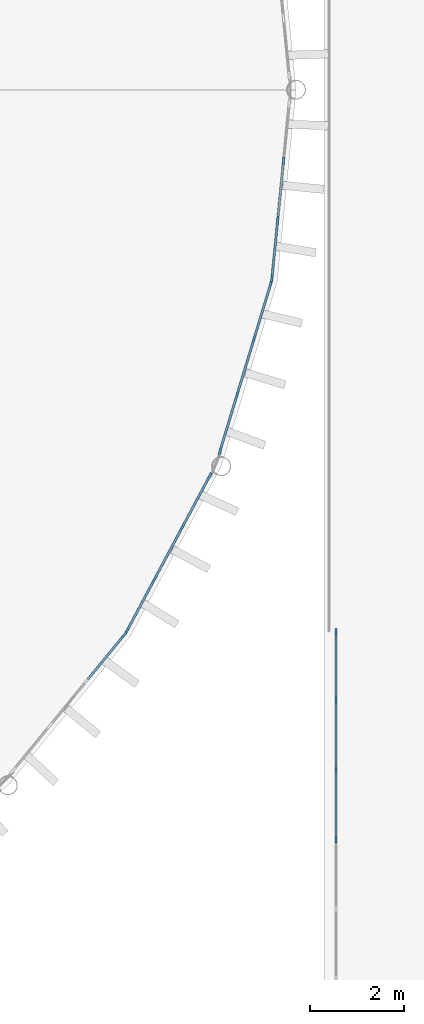
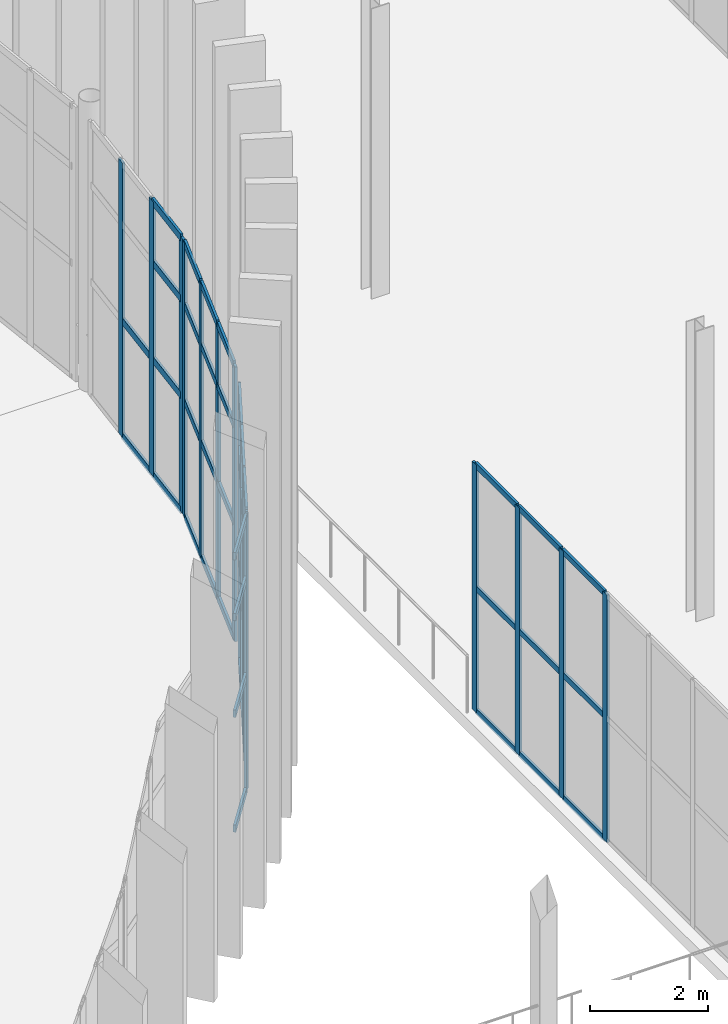
# One storey, part 57 of 139: 59 members, 5 elements without a shape of their own.
"""IFC4 building model written with IfcOpenShell, lengths in metres."""

import ifcopenshell
import ifcopenshell.guid

model = None  # the IFC model being written
_history = None  # IfcOwnerHistory: only IFC2X3 demands one
_inside = {}  # id of a spatial element -> (the spatial element, [elements in it])
_under = {}  # id of a project, library or spatial element -> (it, [spatial elements below it])
_declared = {}  # id of a project -> (the project, [libraries it declares])
_typed = {}  # id of a type object -> (the type object, [elements of that type])
_made_of = {}  # id of a material, layer set ... -> (it, [elements and type objects made of it])


def new_model(schema):
    """Start an empty IFC model of exactly this schema.

    Asked for "IFC4X3", IfcOpenShell would pick the latest addendum, in which some entities
    have other attributes; the version numbers below select the first issue.
    IFC2X3 requires an IfcOwnerHistory on every rooted entity: one is made here for all.
    """
    global model, _history
    if schema == "IFC4X3":
        model = ifcopenshell.file(schema_version=(4, 3, 0, 0))
    else:
        model = ifcopenshell.file(schema=schema)
    _inside.clear()
    _under.clear()
    _declared.clear()
    _typed.clear()
    _made_of.clear()
    _history = None
    if model.schema == "IFC2X3":
        org = make("IfcOrganization", Name="unknown")
        user = make(
            "IfcPersonAndOrganization",
            ThePerson=make("IfcPerson", FamilyName="unknown"),
            TheOrganization=org,
        )
        app = make(
            "IfcApplication",
            ApplicationDeveloper=org,
            Version="unknown",
            ApplicationFullName="unknown",
            ApplicationIdentifier="unknown",
        )
        _history = make(
            "IfcOwnerHistory",
            OwningUser=user,
            OwningApplication=app,
            ChangeAction="ADDED",
            CreationDate=0,
        )
    return model


def make(cls, **values):
    """One entity of the class cls with the attributes given. An attribute that is None is left unset."""
    return model.create_entity(
        cls, **{name: value for name, value in values.items() if value is not None}
    )


def rooted(cls, **values):
    """An entity with a GlobalId (a new one), such as an element, a storey or a relation."""
    return make(cls, GlobalId=ifcopenshell.guid.new(), OwnerHistory=_history, **values)


def si_unit(unit_type, name, prefix=None):
    """IfcSIUnit, for example si_unit("LENGTHUNIT", "METRE", prefix="MILLI")."""
    return make("IfcSIUnit", UnitType=unit_type, Prefix=prefix, Name=name)


def assignment(units):
    """IfcUnitAssignment: the units of a project."""
    return None if units is None else make("IfcUnitAssignment", Units=units)


def point(xyz):
    """IfcCartesianPoint."""
    return None if xyz is None else make("IfcCartesianPoint", Coordinates=xyz)


def direction(xyz):
    """IfcDirection."""
    return None if xyz is None else make("IfcDirection", DirectionRatios=xyz)


def frame(location, z_axis=None, x_axis=None):
    """IfcAxis2Placement3D, a coordinate frame: its origin and axes. An axis left out is left unset."""
    return make(
        "IfcAxis2Placement3D",
        Location=point(location),
        Axis=direction(z_axis),
        RefDirection=direction(x_axis),
    )


def frame_2d(location, x_axis=None):
    """IfcAxis2Placement2D, a coordinate frame in the plane: its origin and x axis."""
    return make(
        "IfcAxis2Placement2D", Location=point(location), RefDirection=direction(x_axis)
    )


def origin():
    """The frame at (0, 0, 0) with its axes left unset."""
    return frame((0.0, 0.0, 0.0))


def origin_2d():
    """The frame at (0, 0) in the plane with its x axis left unset."""
    return frame_2d((0.0, 0.0))


def place(relative_to, where):
    """IfcLocalPlacement: puts the frame where relative to a parent placement (None: the world)."""
    return make(
        "IfcLocalPlacement", PlacementRelTo=relative_to, RelativePlacement=where
    )


def context(
    kind, dimensions, precision=None, world=None, true_north=None, identifier=None
):
    """IfcGeometricRepresentationContext, for example the 3D "Model" context."""
    return make(
        "IfcGeometricRepresentationContext",
        ContextIdentifier=identifier,
        ContextType=kind,
        CoordinateSpaceDimension=dimensions,
        Precision=precision,
        WorldCoordinateSystem=world,
        TrueNorth=true_north,
    )


def subcontext(parent, identifier, kind, view, scale=None):
    """IfcGeometricRepresentationSubContext, for example "Body" below "Model"."""
    return make(
        "IfcGeometricRepresentationSubContext",
        ContextIdentifier=identifier,
        ContextType=kind,
        ParentContext=parent,
        TargetScale=scale,
        TargetView=view,
    )


def project(units=None, contexts=None):
    """IfcProject with its units and contexts."""
    return rooted(
        "IfcProject",
        Name="project",
        RepresentationContexts=contexts,
        UnitsInContext=assignment(units),
    )


def spatial(cls, under=None, at=None, **own):
    """A site, building, storey or space (cls), placed at a placement, below another one or the project."""
    s = rooted(cls, ObjectPlacement=at, **own)
    if under is not None:
        _under.setdefault(under.id(), (under, []))[1].append(s)
    return s


def profile(cls, at=None, kind="AREA", **sizes):
    """A parametric profile (cls). Its sizes go by their IFC names, for example OverallWidth=200.0."""
    return make(cls, ProfileType=kind, Position=at, **sizes)


def rectangle(**sizes):
    """IfcRectangleProfileDef."""
    return profile("IfcRectangleProfileDef", **sizes)


def extrude(swept, where, along, depth):
    """IfcExtrudedAreaSolid: the profile swept, set in the frame where, extruded along a direction by depth."""
    return make(
        "IfcExtrudedAreaSolid",
        SweptArea=swept,
        Position=where,
        ExtrudedDirection=direction(along),
        Depth=depth,
    )


def shape(context_of_items, identifier, shape_type, items):
    """IfcShapeRepresentation: the items that make up one representation, for example the "Body"."""
    return make(
        "IfcShapeRepresentation",
        ContextOfItems=context_of_items,
        RepresentationIdentifier=identifier,
        RepresentationType=shape_type,
        Items=items,
    )


def material(Name=None, Category=None):
    """IfcMaterial."""
    return make("IfcMaterial", Name=Name, Category=Category)


def layer(
    of_material, thickness, ventilated=None, Name=None, Category=None, Priority=None
):
    """IfcMaterialLayer: one layer of a wall or slab, of a material (None: an air gap)."""
    return make(
        "IfcMaterialLayer",
        Material=of_material,
        LayerThickness=thickness,
        IsVentilated=ventilated,
        Name=Name,
        Category=Category,
        Priority=Priority,
    )


def layer_set(layers, Name=None):
    """IfcMaterialLayerSet."""
    return make("IfcMaterialLayerSet", MaterialLayers=layers, LayerSetName=Name)


def material_profile(
    of_material, cross_section, Name=None, Category=None, Priority=None
):
    """IfcMaterialProfile: a cross section and its material."""
    return make(
        "IfcMaterialProfile",
        Name=Name,
        Material=of_material,
        Profile=cross_section,
        Priority=Priority,
        Category=Category,
    )


def profile_set(profiles, Name=None, composite=None):
    """IfcMaterialProfileSet."""
    return make(
        "IfcMaterialProfileSet",
        Name=Name,
        MaterialProfiles=profiles,
        CompositeProfile=composite,
    )


def made_of(thing, what):
    """Note that an element or type object is made of a material, layer set ...; save() writes the relation."""
    if what is not None:
        _made_of.setdefault(what.id(), (what, []))[1].append(thing)
    return thing


def type_object(cls, material=None, **own):
    """A type object (cls), such as IfcWallType, which elements share."""
    return made_of(rooted(cls, **own), material)


def element(
    cls,
    number,
    at=None,
    inside=None,
    cuts=None,
    type_object=None,
    material=None,
    context=None,
    identifier="Body",
    shape_type=None,
    held_by="IfcProductDefinitionShape",
    body=None,
    shapes=None,
    **own,
):
    """One element of the class cls, such as IfcWall. Its Tag is "e" and its number.

    at: its placement. inside: the storey or other place that contains it. cuts: it is an
    opening in that element (IfcRelVoidsElement). A single representation is given by context,
    identifier, shape_type and body (its items); several are given by shapes. held_by: the class
    of the entity that holds the representations. save() writes the other relations.
    """
    e = rooted(cls, Tag="e%d" % number, ObjectPlacement=at, **own)
    if body is not None:
        shapes = [shape(context, identifier, shape_type, body)]
    if shapes is not None:
        e.Representation = make(held_by, Representations=shapes)
    if inside is not None:
        _inside.setdefault(inside.id(), (inside, []))[1].append(e)
    if cuts is not None:
        rooted(
            "IfcRelVoidsElement", RelatingBuildingElement=cuts, RelatedOpeningElement=e
        )
    if type_object is not None:
        _typed.setdefault(type_object.id(), (type_object, []))[1].append(e)
    return made_of(e, material)


def aggregate(whole, parts):
    """IfcRelAggregates: a whole, such as a stair, and the parts it consists of."""
    return rooted("IfcRelAggregates", RelatingObject=whole, RelatedObjects=parts)


def save(model, path):
    """Write the relations noted so far, then the file.

    IfcRelAggregates (storeys below a building ...), IfcRelContainedInSpatialStructure (elements
    in a storey), IfcRelDefinesByType, IfcRelAssociatesMaterial and IfcRelDeclares: one each for
    every whole, place, type object, material and project.
    """
    for whole, parts in _under.values():
        aggregate(whole, parts)
    for where, things in _inside.values():
        rooted(
            "IfcRelContainedInSpatialStructure",
            RelatedElements=things,
            RelatingStructure=where,
        )
    for kind, things in _typed.values():
        rooted("IfcRelDefinesByType", RelatedObjects=things, RelatingType=kind)
    for what, things in _made_of.values():
        rooted("IfcRelAssociatesMaterial", RelatedObjects=things, RelatingMaterial=what)
    for by, libraries in _declared.values():
        rooted("IfcRelDeclares", RelatingContext=by, RelatedDefinitions=libraries)
    model.write(path)


model = new_model("IFC4")

# Units and contexts
model_context = context("Model", 3, precision=1e-05, world=origin(), true_north=direction((0.0, 1.0)))
body_context = subcontext(model_context, "Body", "Model", "MODEL_VIEW")
ifc_project = project(units=[si_unit("LENGTHUNIT", "METRE"), si_unit("AREAUNIT", "SQUARE_METRE"), si_unit("VOLUMEUNIT", "CUBIC_METRE"), si_unit("PLANEANGLEUNIT", "RADIAN"), si_unit("MASSUNIT", "GRAM", prefix="KILO")], contexts=[model_context])

# Site, building, storey
site_placement = place(None, origin())
site = spatial("IfcSite", under=ifc_project, at=site_placement, CompositionType="ELEMENT")
building_placement = place(site_placement, origin())
building = spatial("IfcBuilding", under=site, at=building_placement, Name="Yeouljin Market Hall", CompositionType="ELEMENT")
storey_placement = place(building_placement, origin())
storey = spatial("IfcBuildingStorey", under=building, at=storey_placement, Name="L00", CompositionType="ELEMENT", Elevation=0.0)

# Curtain wall, members
ifc_material_1 = material(Name="Thermally Broken Aluminium", Category="aluminium")
ifc_layer_1 = layer(ifc_material_1, 0.14990234375)
ifc_layer_set_1 = layer_set([ifc_layer_1], Name="Thermally Broken Aluminium")
curtain_wall_type_1 = type_object("IfcCurtainWallType", Name="CW_WingStorefront_System", PredefinedType="USERDEFINED", material=ifc_layer_set_1)
curtain_wall_1_placement = place(storey_placement, origin())
curtain_wall_1 = element("IfcCurtainWall", 1, at=curtain_wall_1_placement, inside=storey, type_object=curtain_wall_type_1, Name="Curtain wall CW-CRT-L00-13", ObjectType="CURTAIN WALL", PredefinedType="USERDEFINED")
ifc_material_2 = material(Name="Thermally Broken Aluminium", Category="aluminium")
ifc_material_profile_1 = material_profile(ifc_material_2, rectangle(XDim=0.048095703125, YDim=0.14990234375, at=origin_2d()), Name="CW-MULL-48x150")
ifc_profile_set_1 = profile_set([ifc_material_profile_1], Name="Thermally Broken Aluminium")
member_type_1 = type_object("IfcMemberType", Name="CWMullion_48x150", PredefinedType="MULLION", material=ifc_profile_set_1)
member_1_placement = place(storey_placement, frame((162.85009765625, 45.426025390625, 0.0), z_axis=(0.0, 0.0, 1.0), x_axis=(1.0, 0.0, 0.0)))
member_1 = element("IfcMember", 2, at=member_1_placement, type_object=member_type_1, Name="CW-04 mullion 1", PredefinedType="MULLION", context=body_context, shape_type="SweptSolid", body=[
    extrude(rectangle(XDim=0.048095703125, YDim=0.14990234375, at=origin_2d()), origin(), (0.0, 0.0, 1.0), 5.1201171875),
])
member_2_placement = place(storey_placement, frame((162.85009765625, 43.966552734375, 0.0), z_axis=(0.0, 0.0, 1.0), x_axis=(1.0, 0.0, 0.0)))
member_2 = element("IfcMember", 3, at=member_2_placement, type_object=member_type_1, Name="CW-04 mullion 2", PredefinedType="MULLION", context=body_context, shape_type="SweptSolid", body=[
    extrude(rectangle(XDim=0.048095703125, YDim=0.14990234375, at=origin_2d()), origin(), (0.0, 0.0, 1.0), 5.1201171875),
])
member_3_placement = place(storey_placement, frame((162.85009765625, 42.4833984375, 0.0), z_axis=(0.0, 0.0, 1.0), x_axis=(1.0, 0.0, 0.0)))
member_3 = element("IfcMember", 4, at=member_3_placement, type_object=member_type_1, Name="CW-04 mullion 3", PredefinedType="MULLION", context=body_context, shape_type="SweptSolid", body=[
    extrude(rectangle(XDim=0.048095703125, YDim=0.14990234375, at=origin_2d()), origin(), (0.0, 0.0, 1.0), 5.1201171875),
])
member_4_placement = place(storey_placement, frame((162.85009765625, 41.0, 0.0), z_axis=(0.0, 0.0, 1.0), x_axis=(1.0, 0.0, 0.0)))
member_4 = element("IfcMember", 5, at=member_4_placement, type_object=member_type_1, Name="CW-04 mullion 4", PredefinedType="MULLION", context=body_context, shape_type="SweptSolid", body=[
    extrude(rectangle(XDim=0.048095703125, YDim=0.14990234375, at=origin_2d()), origin(), (0.0, 0.0, 1.0), 5.1201171875),
])

# Curtain wall, member
ifc_material_3 = material(Name="Thermally Broken Aluminium", Category="aluminium")
ifc_layer_2 = layer(ifc_material_3, 0.179931640625)
ifc_layer_set_2 = layer_set([ifc_layer_2], Name="Thermally Broken Aluminium")
curtain_wall_type_2 = type_object("IfcCurtainWallType", Name="CW_ApseCurved_System", PredefinedType="USERDEFINED", material=ifc_layer_set_2)
curtain_wall_2_placement = place(storey_placement, origin())
curtain_wall_2 = element("IfcCurtainWall", 6, at=curtain_wall_2_placement, inside=storey, type_object=curtain_wall_type_2, Name="Curtain wall CW-AP-EL00-05", ObjectType="CURTAIN WALL", PredefinedType="USERDEFINED")
ifc_material_4 = material(Name="Thermally Broken Aluminium", Category="aluminium")
ifc_material_profile_2 = material_profile(ifc_material_4, rectangle(XDim=0.048095703125, YDim=0.179931640625, at=origin_2d()), Name="CW-MULL-48x180")
ifc_profile_set_2 = profile_set([ifc_material_profile_2], Name="Thermally Broken Aluminium")
member_type_2 = type_object("IfcMemberType", Name="CWMullion_48x180", PredefinedType="MULLION", material=ifc_profile_set_2)
member_5_placement = place(storey_placement, frame((158.320556640625, 45.350341796875, 0.0), z_axis=(0.0, 0.0, 1.0), x_axis=(0.773017717982, -0.634384432096, 0.0)))
member_5 = element("IfcMember", 7, at=member_5_placement, type_object=member_type_2, Name="CW-03 mullion 1", PredefinedType="MULLION", context=body_context, shape_type="SweptSolid", body=[
    extrude(rectangle(XDim=0.048095703125, YDim=0.179931640625, at=origin_2d()), origin(), (0.0, 0.0, 1.0), 5.679931640625),
])

# Curtain wall, members
curtain_wall_3_placement = place(storey_placement, origin())
curtain_wall_3 = element("IfcCurtainWall", 8, at=curtain_wall_3_placement, inside=storey, type_object=curtain_wall_type_2, Name="Curtain wall CW-AP-EL00-06", ObjectType="CURTAIN WALL", PredefinedType="USERDEFINED")
member_6_placement = place(storey_placement, frame((160.147216796875, 48.741455078125, 0.0), z_axis=(0.0, 0.0, 1.0), x_axis=(0.881931478712, -0.471377626598, 0.0)))
member_6 = element("IfcMember", 9, at=member_6_placement, type_object=member_type_2, Name="CW-03 mullion 1", PredefinedType="MULLION", context=body_context, shape_type="SweptSolid", body=[
    extrude(rectangle(XDim=0.048095703125, YDim=0.179931640625, at=origin_2d()), origin(), (0.0, 0.0, 1.0), 5.679931640625),
])
member_7_placement = place(storey_placement, frame((159.565673828125, 47.653564453125, 0.0), z_axis=(0.0, 0.0, 1.0), x_axis=(0.881931478712, -0.471377626598, 0.0)))
member_7 = element("IfcMember", 10, at=member_7_placement, type_object=member_type_2, Name="CW-03 mullion 2", PredefinedType="MULLION", context=body_context, shape_type="SweptSolid", body=[
    extrude(rectangle(XDim=0.048095703125, YDim=0.179931640625, at=origin_2d()), origin(), (0.0, 0.0, 1.0), 5.679931640625),
])
member_8_placement = place(storey_placement, frame((158.972900390625, 46.544189453125, 0.0), z_axis=(0.0, 0.0, 1.0), x_axis=(0.881931478712, -0.471377626598, 0.0)))
member_8 = element("IfcMember", 11, at=member_8_placement, type_object=member_type_2, Name="CW-03 mullion 3", PredefinedType="MULLION", context=body_context, shape_type="SweptSolid", body=[
    extrude(rectangle(XDim=0.048095703125, YDim=0.179931640625, at=origin_2d()), origin(), (0.0, 0.0, 1.0), 5.679931640625),
])
member_9_placement = place(storey_placement, frame((158.391357421875, 45.4560546875, 0.0), z_axis=(0.0, 0.0, 1.0), x_axis=(0.881931478712, -0.471377626598, 0.0)))
member_9 = element("IfcMember", 12, at=member_9_placement, type_object=member_type_2, Name="CW-03 mullion 4", PredefinedType="MULLION", context=body_context, shape_type="SweptSolid", body=[
    extrude(rectangle(XDim=0.048095703125, YDim=0.179931640625, at=origin_2d()), origin(), (0.0, 0.0, 1.0), 5.679931640625),
])

curtain_wall_4_placement = place(storey_placement, origin())
curtain_wall_4 = element("IfcCurtainWall", 13, at=curtain_wall_4_placement, inside=storey, type_object=curtain_wall_type_2, Name="Curtain wall CW-AP-EL00-07", ObjectType="CURTAIN WALL", PredefinedType="USERDEFINED")
member_10_placement = place(storey_placement, frame((161.460205078125, 52.865234375, 0.0), z_axis=(0.0, 0.0, 1.0), x_axis=(0.95693988447, -0.290286164863, 0.0)))
member_10 = element("IfcMember", 14, at=member_10_placement, type_object=member_type_2, Name="CW-03 mullion 1", PredefinedType="MULLION", context=body_context, shape_type="SweptSolid", body=[
    extrude(rectangle(XDim=0.048095703125, YDim=0.179931640625, at=origin_2d()), origin(), (0.0, 0.0, 1.0), 5.679931640625),
])
member_11_placement = place(storey_placement, frame((161.10205078125, 51.6845703125, 0.0), z_axis=(0.0, 0.0, 1.0), x_axis=(0.95693988447, -0.290286164863, 0.0)))
member_11 = element("IfcMember", 15, at=member_11_placement, type_object=member_type_2, Name="CW-03 mullion 2", PredefinedType="MULLION", context=body_context, shape_type="SweptSolid", body=[
    extrude(rectangle(XDim=0.048095703125, YDim=0.179931640625, at=origin_2d()), origin(), (0.0, 0.0, 1.0), 5.679931640625),
])
member_12_placement = place(storey_placement, frame((160.737060546875, 50.48095703125, 0.0), z_axis=(0.0, 0.0, 1.0), x_axis=(0.95693988447, -0.290286164863, 0.0)))
member_12 = element("IfcMember", 16, at=member_12_placement, type_object=member_type_2, Name="CW-03 mullion 3", PredefinedType="MULLION", context=body_context, shape_type="SweptSolid", body=[
    extrude(rectangle(XDim=0.048095703125, YDim=0.179931640625, at=origin_2d()), origin(), (0.0, 0.0, 1.0), 5.679931640625),
])
member_13_placement = place(storey_placement, frame((160.37890625, 49.300537109375, 0.0), z_axis=(0.0, 0.0, 1.0), x_axis=(0.95693988447, -0.290286164863, 0.0)))
member_13 = element("IfcMember", 17, at=member_13_placement, type_object=member_type_2, Name="CW-03 mullion 4", PredefinedType="MULLION", context=body_context, shape_type="SweptSolid", body=[
    extrude(rectangle(XDim=0.048095703125, YDim=0.179931640625, at=origin_2d()), origin(), (0.0, 0.0, 1.0), 5.679931640625),
])

curtain_wall_5_placement = place(storey_placement, origin())
curtain_wall_5 = element("IfcCurtainWall", 18, at=curtain_wall_5_placement, inside=storey, type_object=curtain_wall_type_2, Name="Curtain wall CW-AP-EL00-08", ObjectType="CURTAIN WALL", PredefinedType="USERDEFINED")
member_14_placement = place(storey_placement, frame((161.729248046875, 55.4697265625, 0.0), z_axis=(0.0, 0.0, 1.0), x_axis=(0.995183051807, -0.09803414403, 0.0)))
member_14 = element("IfcMember", 19, at=member_14_placement, type_object=member_type_2, Name="CW-03 mullion 2", PredefinedType="MULLION", context=body_context, shape_type="SweptSolid", body=[
    extrude(rectangle(XDim=0.048095703125, YDim=0.179931640625, at=origin_2d()), origin(), (0.0, 0.0, 1.0), 5.679931640625),
])
member_15_placement = place(storey_placement, frame((161.60595703125, 54.218017578125, 0.0), z_axis=(0.0, 0.0, 1.0), x_axis=(0.995183051807, -0.09803414403, 0.0)))
member_15 = element("IfcMember", 20, at=member_15_placement, type_object=member_type_2, Name="CW-03 mullion 3", PredefinedType="MULLION", context=body_context, shape_type="SweptSolid", body=[
    extrude(rectangle(XDim=0.048095703125, YDim=0.179931640625, at=origin_2d()), origin(), (0.0, 0.0, 1.0), 5.679931640625),
])
member_16_placement = place(storey_placement, frame((161.485107421875, 52.990234375, 0.0), z_axis=(0.0, 0.0, 1.0), x_axis=(0.995183051807, -0.09803414403, 0.0)))
member_16 = element("IfcMember", 21, at=member_16_placement, type_object=member_type_2, Name="CW-03 mullion 4", PredefinedType="MULLION", context=body_context, shape_type="SweptSolid", body=[
    extrude(rectangle(XDim=0.048095703125, YDim=0.179931640625, at=origin_2d()), origin(), (0.0, 0.0, 1.0), 5.679931640625),
])

# Member
ifc_material_5 = material(Name="Thermally Broken Aluminium", Category="aluminium")
ifc_material_profile_3 = material_profile(ifc_material_5, rectangle(XDim=0.048095703125, YDim=0.1201171875, at=origin_2d()), Name="CW-TRAN-48x120")
ifc_profile_set_3 = profile_set([ifc_material_profile_3], Name="Thermally Broken Aluminium")
member_type_3 = type_object("IfcMemberType", Name="CWTransom_48x120", PredefinedType="USERDEFINED", material=ifc_profile_set_3)
member_17_placement = place(storey_placement, frame((162.85009765625, 45.402099609375, 0.02392578125), z_axis=(0.0, -1.0, 0.0), x_axis=(1.0, 0.0, 0.0)))
member_17 = element("IfcMember", 22, at=member_17_placement, type_object=member_type_3, Name="CW-04 transom 1.1", ObjectType="TRANSOM", PredefinedType="USERDEFINED", context=body_context, shape_type="SweptSolid", body=[
    extrude(rectangle(XDim=0.048095703125, YDim=0.1201171875, at=origin_2d()), origin(), (0.0, 0.0, 1.0), 1.411376953125),
])

member_18_placement = place(storey_placement, frame((162.85009765625, 45.402099609375, 2.56005859375), z_axis=(0.0, -1.0, 0.0), x_axis=(1.0, 0.0, 0.0)))
member_18 = element("IfcMember", 23, at=member_18_placement, type_object=member_type_3, Name="CW-04 transom 1.2", ObjectType="TRANSOM", PredefinedType="USERDEFINED", context=body_context, shape_type="SweptSolid", body=[
    extrude(rectangle(XDim=0.048095703125, YDim=0.1201171875, at=origin_2d()), origin(), (0.0, 0.0, 1.0), 1.411376953125),
])

member_19_placement = place(storey_placement, frame((162.85009765625, 45.402099609375, 5.095947265625), z_axis=(0.0, -1.0, 0.0), x_axis=(1.0, 0.0, 0.0)))
member_19 = element("IfcMember", 24, at=member_19_placement, type_object=member_type_3, Name="CW-04 transom 1.3", ObjectType="TRANSOM", PredefinedType="USERDEFINED", context=body_context, shape_type="SweptSolid", body=[
    extrude(rectangle(XDim=0.048095703125, YDim=0.1201171875, at=origin_2d()), origin(), (0.0, 0.0, 1.0), 1.411376953125),
])

member_20_placement = place(storey_placement, frame((162.85009765625, 43.942626953125, 0.02392578125), z_axis=(0.0, -1.0, 0.0), x_axis=(1.0, 0.0, 0.0)))
member_20 = element("IfcMember", 25, at=member_20_placement, type_object=member_type_3, Name="CW-04 transom 2.1", ObjectType="TRANSOM", PredefinedType="USERDEFINED", context=body_context, shape_type="SweptSolid", body=[
    extrude(rectangle(XDim=0.048095703125, YDim=0.1201171875, at=origin_2d()), origin(), (0.0, 0.0, 1.0), 1.435302734375),
])

member_21_placement = place(storey_placement, frame((162.85009765625, 43.942626953125, 2.56005859375), z_axis=(0.0, -1.0, 0.0), x_axis=(1.0, 0.0, 0.0)))
member_21 = element("IfcMember", 26, at=member_21_placement, type_object=member_type_3, Name="CW-04 transom 2.2", ObjectType="TRANSOM", PredefinedType="USERDEFINED", context=body_context, shape_type="SweptSolid", body=[
    extrude(rectangle(XDim=0.048095703125, YDim=0.1201171875, at=origin_2d()), origin(), (0.0, 0.0, 1.0), 1.435302734375),
])

member_22_placement = place(storey_placement, frame((162.85009765625, 43.942626953125, 5.095947265625), z_axis=(0.0, -1.0, 0.0), x_axis=(1.0, 0.0, 0.0)))
member_22 = element("IfcMember", 27, at=member_22_placement, type_object=member_type_3, Name="CW-04 transom 2.3", ObjectType="TRANSOM", PredefinedType="USERDEFINED", context=body_context, shape_type="SweptSolid", body=[
    extrude(rectangle(XDim=0.048095703125, YDim=0.1201171875, at=origin_2d()), origin(), (0.0, 0.0, 1.0), 1.435302734375),
])

member_23_placement = place(storey_placement, frame((162.85009765625, 42.459228515625, 0.02392578125), z_axis=(0.0, -1.0, 0.0), x_axis=(1.0, 0.0, 0.0)))
member_23 = element("IfcMember", 28, at=member_23_placement, type_object=member_type_3, Name="CW-04 transom 3.1", ObjectType="TRANSOM", PredefinedType="USERDEFINED", context=body_context, shape_type="SweptSolid", body=[
    extrude(rectangle(XDim=0.048095703125, YDim=0.1201171875, at=origin_2d()), origin(), (0.0, 0.0, 1.0), 1.435302734375),
])

member_24_placement = place(storey_placement, frame((162.85009765625, 42.459228515625, 2.56005859375), z_axis=(0.0, -1.0, 0.0), x_axis=(1.0, 0.0, 0.0)))
member_24 = element("IfcMember", 29, at=member_24_placement, type_object=member_type_3, Name="CW-04 transom 3.2", ObjectType="TRANSOM", PredefinedType="USERDEFINED", context=body_context, shape_type="SweptSolid", body=[
    extrude(rectangle(XDim=0.048095703125, YDim=0.1201171875, at=origin_2d()), origin(), (0.0, 0.0, 1.0), 1.435302734375),
])

member_25_placement = place(storey_placement, frame((162.85009765625, 42.459228515625, 5.095947265625), z_axis=(0.0, -1.0, 0.0), x_axis=(1.0, 0.0, 0.0)))
member_25 = element("IfcMember", 30, at=member_25_placement, type_object=member_type_3, Name="CW-04 transom 3.3", ObjectType="TRANSOM", PredefinedType="USERDEFINED", context=body_context, shape_type="SweptSolid", body=[
    extrude(rectangle(XDim=0.048095703125, YDim=0.1201171875, at=origin_2d()), origin(), (0.0, 0.0, 1.0), 1.435302734375),
])

aggregate(curtain_wall_1, [member_1, member_2, member_3, member_4, member_17, member_18, member_19, member_20, member_21, member_22, member_23, member_24, member_25])

ifc_material_6 = material(Name="Thermally Broken Aluminium", Category="aluminium")
ifc_material_profile_4 = material_profile(ifc_material_6, rectangle(XDim=0.048095703125, YDim=0.14990234375, at=origin_2d()), Name="CW-TRAN-48x150")
ifc_profile_set_4 = profile_set([ifc_material_profile_4], Name="Thermally Broken Aluminium")
member_type_4 = type_object("IfcMemberType", Name="CWTransom_48x150", PredefinedType="USERDEFINED", material=ifc_profile_set_4)
member_26_placement = place(storey_placement, frame((158.30517578125, 45.331787109375, 0.02392578125), z_axis=(-0.634313456748, -0.773075959133, 0.0), x_axis=(0.773075959133, -0.634313456748, 0.0)))
member_26 = element("IfcMember", 31, at=member_26_placement, type_object=member_type_4, Name="CW-03 transom 1.1", ObjectType="TRANSOM", PredefinedType="USERDEFINED", context=body_context, shape_type="SweptSolid", body=[
    extrude(rectangle(XDim=0.048095703125, YDim=0.14990234375, at=origin_2d()), origin(), (0.0, 0.0, 1.0), 1.185791015625),
])

member_27_placement = place(storey_placement, frame((158.30517578125, 45.331787109375, 2.39990234375), z_axis=(-0.634313456748, -0.773075959133, 0.0), x_axis=(0.773075959133, -0.634313456748, 0.0)))
member_27 = element("IfcMember", 32, at=member_27_placement, type_object=member_type_4, Name="CW-03 transom 1.2", ObjectType="TRANSOM", PredefinedType="USERDEFINED", context=body_context, shape_type="SweptSolid", body=[
    extrude(rectangle(XDim=0.048095703125, YDim=0.14990234375, at=origin_2d()), origin(), (0.0, 0.0, 1.0), 1.185791015625),
])

member_28_placement = place(storey_placement, frame((158.30517578125, 45.331787109375, 4.39990234375), z_axis=(-0.634313456748, -0.773075959133, 0.0), x_axis=(0.773075959133, -0.634313456748, 0.0)))
member_28 = element("IfcMember", 33, at=member_28_placement, type_object=member_type_4, Name="CW-03 transom 1.3", ObjectType="TRANSOM", PredefinedType="USERDEFINED", context=body_context, shape_type="SweptSolid", body=[
    extrude(rectangle(XDim=0.048095703125, YDim=0.14990234375, at=origin_2d()), origin(), (0.0, 0.0, 1.0), 1.185791015625),
])

member_29_placement = place(storey_placement, frame((158.30517578125, 45.331787109375, 5.656005859375), z_axis=(-0.634313456748, -0.773075959133, 0.0), x_axis=(0.773075959133, -0.634313456748, 0.0)))
member_29 = element("IfcMember", 34, at=member_29_placement, type_object=member_type_4, Name="CW-03 transom 1.4", ObjectType="TRANSOM", PredefinedType="USERDEFINED", context=body_context, shape_type="SweptSolid", body=[
    extrude(rectangle(XDim=0.048095703125, YDim=0.14990234375, at=origin_2d()), origin(), (0.0, 0.0, 1.0), 1.185791015625),
])

aggregate(curtain_wall_2, [member_5, member_26, member_27, member_28, member_29])

member_30_placement = place(storey_placement, frame((160.135986328125, 48.720458984375, 0.02392578125), z_axis=(-0.471261307391, -0.881993639521, 0.0), x_axis=(0.881993639521, -0.471261307391, 0.0)))
member_30 = element("IfcMember", 35, at=member_30_placement, type_object=member_type_4, Name="CW-03 transom 1.1", ObjectType="TRANSOM", PredefinedType="USERDEFINED", context=body_context, shape_type="SweptSolid", body=[
    extrude(rectangle(XDim=0.048095703125, YDim=0.14990234375, at=origin_2d()), origin(), (0.0, 0.0, 1.0), 1.185791015625),
])

member_31_placement = place(storey_placement, frame((160.135986328125, 48.720458984375, 2.39990234375), z_axis=(-0.471261307391, -0.881993639521, 0.0), x_axis=(0.881993639521, -0.471261307391, 0.0)))
member_31 = element("IfcMember", 36, at=member_31_placement, type_object=member_type_4, Name="CW-03 transom 1.2", ObjectType="TRANSOM", PredefinedType="USERDEFINED", context=body_context, shape_type="SweptSolid", body=[
    extrude(rectangle(XDim=0.048095703125, YDim=0.14990234375, at=origin_2d()), origin(), (0.0, 0.0, 1.0), 1.185791015625),
])

member_32_placement = place(storey_placement, frame((160.135986328125, 48.720458984375, 4.39990234375), z_axis=(-0.471261307391, -0.881993639521, 0.0), x_axis=(0.881993639521, -0.471261307391, 0.0)))
member_32 = element("IfcMember", 37, at=member_32_placement, type_object=member_type_4, Name="CW-03 transom 1.3", ObjectType="TRANSOM", PredefinedType="USERDEFINED", context=body_context, shape_type="SweptSolid", body=[
    extrude(rectangle(XDim=0.048095703125, YDim=0.14990234375, at=origin_2d()), origin(), (0.0, 0.0, 1.0), 1.185791015625),
])

member_33_placement = place(storey_placement, frame((160.135986328125, 48.720458984375, 5.656005859375), z_axis=(-0.471261307391, -0.881993639521, 0.0), x_axis=(0.881993639521, -0.471261307391, 0.0)))
member_33 = element("IfcMember", 38, at=member_33_placement, type_object=member_type_4, Name="CW-03 transom 1.4", ObjectType="TRANSOM", PredefinedType="USERDEFINED", context=body_context, shape_type="SweptSolid", body=[
    extrude(rectangle(XDim=0.048095703125, YDim=0.14990234375, at=origin_2d()), origin(), (0.0, 0.0, 1.0), 1.185791015625),
])

member_34_placement = place(storey_placement, frame((159.554443359375, 47.63232421875, 0.02392578125), z_axis=(-0.471425984611, -0.881905630458, 0.0), x_axis=(0.881905630458, -0.471425984611, 0.0)))
member_34 = element("IfcMember", 39, at=member_34_placement, type_object=member_type_4, Name="CW-03 transom 2.1", ObjectType="TRANSOM", PredefinedType="USERDEFINED", context=body_context, shape_type="SweptSolid", body=[
    extrude(rectangle(XDim=0.048095703125, YDim=0.14990234375, at=origin_2d()), origin(), (0.0, 0.0, 1.0), 1.209716796875),
])

member_35_placement = place(storey_placement, frame((159.554443359375, 47.63232421875, 2.39990234375), z_axis=(-0.471425984611, -0.881905630458, 0.0), x_axis=(0.881905630458, -0.471425984611, 0.0)))
member_35 = element("IfcMember", 40, at=member_35_placement, type_object=member_type_4, Name="CW-03 transom 2.2", ObjectType="TRANSOM", PredefinedType="USERDEFINED", context=body_context, shape_type="SweptSolid", body=[
    extrude(rectangle(XDim=0.048095703125, YDim=0.14990234375, at=origin_2d()), origin(), (0.0, 0.0, 1.0), 1.209716796875),
])

member_36_placement = place(storey_placement, frame((159.554443359375, 47.63232421875, 4.39990234375), z_axis=(-0.471425984611, -0.881905630458, 0.0), x_axis=(0.881905630458, -0.471425984611, 0.0)))
member_36 = element("IfcMember", 41, at=member_36_placement, type_object=member_type_4, Name="CW-03 transom 2.3", ObjectType="TRANSOM", PredefinedType="USERDEFINED", context=body_context, shape_type="SweptSolid", body=[
    extrude(rectangle(XDim=0.048095703125, YDim=0.14990234375, at=origin_2d()), origin(), (0.0, 0.0, 1.0), 1.209716796875),
])

member_37_placement = place(storey_placement, frame((159.554443359375, 47.63232421875, 5.656005859375), z_axis=(-0.471425984611, -0.881905630458, 0.0), x_axis=(0.881905630458, -0.471425984611, 0.0)))
member_37 = element("IfcMember", 42, at=member_37_placement, type_object=member_type_4, Name="CW-03 transom 2.4", ObjectType="TRANSOM", PredefinedType="USERDEFINED", context=body_context, shape_type="SweptSolid", body=[
    extrude(rectangle(XDim=0.048095703125, YDim=0.14990234375, at=origin_2d()), origin(), (0.0, 0.0, 1.0), 1.209716796875),
])

member_38_placement = place(storey_placement, frame((158.961669921875, 46.52294921875, 0.02392578125), z_axis=(-0.471507041503, -0.881862296401, 0.0), x_axis=(0.881862296401, -0.471507041503, 0.0)))
member_38 = element("IfcMember", 43, at=member_38_placement, type_object=member_type_4, Name="CW-03 transom 3.1", ObjectType="TRANSOM", PredefinedType="USERDEFINED", context=body_context, shape_type="SweptSolid", body=[
    extrude(rectangle(XDim=0.048095703125, YDim=0.14990234375, at=origin_2d()), origin(), (0.0, 0.0, 1.0), 1.185791015625),
])

member_39_placement = place(storey_placement, frame((158.961669921875, 46.52294921875, 2.39990234375), z_axis=(-0.471507041503, -0.881862296401, 0.0), x_axis=(0.881862296401, -0.471507041503, 0.0)))
member_39 = element("IfcMember", 44, at=member_39_placement, type_object=member_type_4, Name="CW-03 transom 3.2", ObjectType="TRANSOM", PredefinedType="USERDEFINED", context=body_context, shape_type="SweptSolid", body=[
    extrude(rectangle(XDim=0.048095703125, YDim=0.14990234375, at=origin_2d()), origin(), (0.0, 0.0, 1.0), 1.185791015625),
])

member_40_placement = place(storey_placement, frame((158.961669921875, 46.52294921875, 4.39990234375), z_axis=(-0.471507041503, -0.881862296401, 0.0), x_axis=(0.881862296401, -0.471507041503, 0.0)))
member_40 = element("IfcMember", 45, at=member_40_placement, type_object=member_type_4, Name="CW-03 transom 3.3", ObjectType="TRANSOM", PredefinedType="USERDEFINED", context=body_context, shape_type="SweptSolid", body=[
    extrude(rectangle(XDim=0.048095703125, YDim=0.14990234375, at=origin_2d()), origin(), (0.0, 0.0, 1.0), 1.185791015625),
])

member_41_placement = place(storey_placement, frame((158.961669921875, 46.52294921875, 5.656005859375), z_axis=(-0.471507041503, -0.881862296401, 0.0), x_axis=(0.881862296401, -0.471507041503, 0.0)))
member_41 = element("IfcMember", 46, at=member_41_placement, type_object=member_type_4, Name="CW-03 transom 3.4", ObjectType="TRANSOM", PredefinedType="USERDEFINED", context=body_context, shape_type="SweptSolid", body=[
    extrude(rectangle(XDim=0.048095703125, YDim=0.14990234375, at=origin_2d()), origin(), (0.0, 0.0, 1.0), 1.185791015625),
])

aggregate(curtain_wall_3, [member_6, member_7, member_8, member_9, member_30, member_31, member_32, member_33, member_34, member_35, member_36, member_37, member_38, member_39, member_40, member_41])

member_42_placement = place(storey_placement, frame((161.453369140625, 52.84228515625, 0.02392578125), z_axis=(-0.290293088565, -0.956937784149, 0.0), x_axis=(0.956937784149, -0.290293088565, 0.0)))
member_42 = element("IfcMember", 47, at=member_42_placement, type_object=member_type_4, Name="CW-03 transom 1.1", ObjectType="TRANSOM", PredefinedType="USERDEFINED", context=body_context, shape_type="SweptSolid", body=[
    extrude(rectangle(XDim=0.048095703125, YDim=0.14990234375, at=origin_2d()), origin(), (0.0, 0.0, 1.0), 1.185791015625),
])

member_43_placement = place(storey_placement, frame((161.453369140625, 52.84228515625, 2.39990234375), z_axis=(-0.290293088565, -0.956937784149, 0.0), x_axis=(0.956937784149, -0.290293088565, 0.0)))
member_43 = element("IfcMember", 48, at=member_43_placement, type_object=member_type_4, Name="CW-03 transom 1.2", ObjectType="TRANSOM", PredefinedType="USERDEFINED", context=body_context, shape_type="SweptSolid", body=[
    extrude(rectangle(XDim=0.048095703125, YDim=0.14990234375, at=origin_2d()), origin(), (0.0, 0.0, 1.0), 1.185791015625),
])

member_44_placement = place(storey_placement, frame((161.453369140625, 52.84228515625, 4.39990234375), z_axis=(-0.290293088565, -0.956937784149, 0.0), x_axis=(0.956937784149, -0.290293088565, 0.0)))
member_44 = element("IfcMember", 49, at=member_44_placement, type_object=member_type_4, Name="CW-03 transom 1.3", ObjectType="TRANSOM", PredefinedType="USERDEFINED", context=body_context, shape_type="SweptSolid", body=[
    extrude(rectangle(XDim=0.048095703125, YDim=0.14990234375, at=origin_2d()), origin(), (0.0, 0.0, 1.0), 1.185791015625),
])

member_45_placement = place(storey_placement, frame((161.453369140625, 52.84228515625, 5.656005859375), z_axis=(-0.290293088565, -0.956937784149, 0.0), x_axis=(0.956937784149, -0.290293088565, 0.0)))
member_45 = element("IfcMember", 50, at=member_45_placement, type_object=member_type_4, Name="CW-03 transom 1.4", ObjectType="TRANSOM", PredefinedType="USERDEFINED", context=body_context, shape_type="SweptSolid", body=[
    extrude(rectangle(XDim=0.048095703125, YDim=0.14990234375, at=origin_2d()), origin(), (0.0, 0.0, 1.0), 1.185791015625),
])

member_46_placement = place(storey_placement, frame((161.09521484375, 51.66162109375, 0.02392578125), z_axis=(-0.29043870262, -0.956893599111, 0.0), x_axis=(0.956893599111, -0.29043870262, 0.0)))
member_46 = element("IfcMember", 51, at=member_46_placement, type_object=member_type_4, Name="CW-03 transom 2.1", ObjectType="TRANSOM", PredefinedType="USERDEFINED", context=body_context, shape_type="SweptSolid", body=[
    extrude(rectangle(XDim=0.048095703125, YDim=0.14990234375, at=origin_2d()), origin(), (0.0, 0.0, 1.0), 1.209716796875),
])

member_47_placement = place(storey_placement, frame((161.09521484375, 51.66162109375, 2.39990234375), z_axis=(-0.29043870262, -0.956893599111, 0.0), x_axis=(0.956893599111, -0.29043870262, 0.0)))
member_47 = element("IfcMember", 52, at=member_47_placement, type_object=member_type_4, Name="CW-03 transom 2.2", ObjectType="TRANSOM", PredefinedType="USERDEFINED", context=body_context, shape_type="SweptSolid", body=[
    extrude(rectangle(XDim=0.048095703125, YDim=0.14990234375, at=origin_2d()), origin(), (0.0, 0.0, 1.0), 1.209716796875),
])

member_48_placement = place(storey_placement, frame((161.09521484375, 51.66162109375, 4.39990234375), z_axis=(-0.29043870262, -0.956893599111, 0.0), x_axis=(0.956893599111, -0.29043870262, 0.0)))
member_48 = element("IfcMember", 53, at=member_48_placement, type_object=member_type_4, Name="CW-03 transom 2.3", ObjectType="TRANSOM", PredefinedType="USERDEFINED", context=body_context, shape_type="SweptSolid", body=[
    extrude(rectangle(XDim=0.048095703125, YDim=0.14990234375, at=origin_2d()), origin(), (0.0, 0.0, 1.0), 1.209716796875),
])

member_49_placement = place(storey_placement, frame((161.09521484375, 51.66162109375, 5.656005859375), z_axis=(-0.29043870262, -0.956893599111, 0.0), x_axis=(0.956893599111, -0.29043870262, 0.0)))
member_49 = element("IfcMember", 54, at=member_49_placement, type_object=member_type_4, Name="CW-03 transom 2.4", ObjectType="TRANSOM", PredefinedType="USERDEFINED", context=body_context, shape_type="SweptSolid", body=[
    extrude(rectangle(XDim=0.048095703125, YDim=0.14990234375, at=origin_2d()), origin(), (0.0, 0.0, 1.0), 1.209716796875),
])

member_50_placement = place(storey_placement, frame((160.72998046875, 50.4580078125, 0.02392578125), z_axis=(-0.290350291671, -0.95692042936, 0.0), x_axis=(0.95692042936, -0.290350291671, 0.0)))
member_50 = element("IfcMember", 55, at=member_50_placement, type_object=member_type_4, Name="CW-03 transom 3.1", ObjectType="TRANSOM", PredefinedType="USERDEFINED", context=body_context, shape_type="SweptSolid", body=[
    extrude(rectangle(XDim=0.048095703125, YDim=0.14990234375, at=origin_2d()), origin(), (0.0, 0.0, 1.0), 1.185546875),
])

member_51_placement = place(storey_placement, frame((160.72998046875, 50.4580078125, 2.39990234375), z_axis=(-0.290350291671, -0.95692042936, 0.0), x_axis=(0.95692042936, -0.290350291671, 0.0)))
member_51 = element("IfcMember", 56, at=member_51_placement, type_object=member_type_4, Name="CW-03 transom 3.2", ObjectType="TRANSOM", PredefinedType="USERDEFINED", context=body_context, shape_type="SweptSolid", body=[
    extrude(rectangle(XDim=0.048095703125, YDim=0.14990234375, at=origin_2d()), origin(), (0.0, 0.0, 1.0), 1.185546875),
])

member_52_placement = place(storey_placement, frame((160.72998046875, 50.4580078125, 4.39990234375), z_axis=(-0.290350291671, -0.95692042936, 0.0), x_axis=(0.95692042936, -0.290350291671, 0.0)))
member_52 = element("IfcMember", 57, at=member_52_placement, type_object=member_type_4, Name="CW-03 transom 3.3", ObjectType="TRANSOM", PredefinedType="USERDEFINED", context=body_context, shape_type="SweptSolid", body=[
    extrude(rectangle(XDim=0.048095703125, YDim=0.14990234375, at=origin_2d()), origin(), (0.0, 0.0, 1.0), 1.185546875),
])

member_53_placement = place(storey_placement, frame((160.72998046875, 50.4580078125, 5.656005859375), z_axis=(-0.290350291671, -0.95692042936, 0.0), x_axis=(0.95692042936, -0.290350291671, 0.0)))
member_53 = element("IfcMember", 58, at=member_53_placement, type_object=member_type_4, Name="CW-03 transom 3.4", ObjectType="TRANSOM", PredefinedType="USERDEFINED", context=body_context, shape_type="SweptSolid", body=[
    extrude(rectangle(XDim=0.048095703125, YDim=0.14990234375, at=origin_2d()), origin(), (0.0, 0.0, 1.0), 1.185546875),
])

aggregate(curtain_wall_4, [member_10, member_11, member_12, member_13, member_42, member_43, member_44, member_45, member_46, member_47, member_48, member_49, member_50, member_51, member_52, member_53])

member_54_placement = place(storey_placement, frame((161.72705078125, 55.44580078125, 0.02392578125), z_axis=(-0.098084878045, -0.995178052762, 0.0), x_axis=(0.995178052762, -0.098084878045, 0.0)))
member_54 = element("IfcMember", 59, at=member_54_placement, type_object=member_type_4, Name="CW-03 transom 2.1", ObjectType="TRANSOM", PredefinedType="USERDEFINED", context=body_context, shape_type="SweptSolid", body=[
    extrude(rectangle(XDim=0.048095703125, YDim=0.14990234375, at=origin_2d()), origin(), (0.0, 0.0, 1.0), 1.209716796875),
])

member_55_placement = place(storey_placement, frame((161.72705078125, 55.44580078125, 2.39990234375), z_axis=(-0.098084878045, -0.995178052762, 0.0), x_axis=(0.995178052762, -0.098084878045, 0.0)))
member_55 = element("IfcMember", 60, at=member_55_placement, type_object=member_type_4, Name="CW-03 transom 2.2", ObjectType="TRANSOM", PredefinedType="USERDEFINED", context=body_context, shape_type="SweptSolid", body=[
    extrude(rectangle(XDim=0.048095703125, YDim=0.14990234375, at=origin_2d()), origin(), (0.0, 0.0, 1.0), 1.209716796875),
])

member_56_placement = place(storey_placement, frame((161.603759765625, 54.194091796875, 0.02392578125), z_axis=(-0.098219244733, -0.995164800405, 0.0), x_axis=(0.995164800405, -0.098219244733, 0.0)))
member_56 = element("IfcMember", 61, at=member_56_placement, type_object=member_type_4, Name="CW-03 transom 3.1", ObjectType="TRANSOM", PredefinedType="USERDEFINED", context=body_context, shape_type="SweptSolid", body=[
    extrude(rectangle(XDim=0.048095703125, YDim=0.14990234375, at=origin_2d()), origin(), (0.0, 0.0, 1.0), 1.185546875),
])

member_57_placement = place(storey_placement, frame((161.603759765625, 54.194091796875, 2.39990234375), z_axis=(-0.098219244733, -0.995164800405, 0.0), x_axis=(0.995164800405, -0.098219244733, 0.0)))
member_57 = element("IfcMember", 62, at=member_57_placement, type_object=member_type_4, Name="CW-03 transom 3.2", ObjectType="TRANSOM", PredefinedType="USERDEFINED", context=body_context, shape_type="SweptSolid", body=[
    extrude(rectangle(XDim=0.048095703125, YDim=0.14990234375, at=origin_2d()), origin(), (0.0, 0.0, 1.0), 1.185546875),
])

member_58_placement = place(storey_placement, frame((161.603759765625, 54.194091796875, 4.39990234375), z_axis=(-0.098219244733, -0.995164800405, 0.0), x_axis=(0.995164800405, -0.098219244733, 0.0)))
member_58 = element("IfcMember", 63, at=member_58_placement, type_object=member_type_4, Name="CW-03 transom 3.3", ObjectType="TRANSOM", PredefinedType="USERDEFINED", context=body_context, shape_type="SweptSolid", body=[
    extrude(rectangle(XDim=0.048095703125, YDim=0.14990234375, at=origin_2d()), origin(), (0.0, 0.0, 1.0), 1.185546875),
])

member_59_placement = place(storey_placement, frame((161.603759765625, 54.194091796875, 5.656005859375), z_axis=(-0.098219244733, -0.995164800405, 0.0), x_axis=(0.995164800405, -0.098219244733, 0.0)))
member_59 = element("IfcMember", 64, at=member_59_placement, type_object=member_type_4, Name="CW-03 transom 3.4", ObjectType="TRANSOM", PredefinedType="USERDEFINED", context=body_context, shape_type="SweptSolid", body=[
    extrude(rectangle(XDim=0.048095703125, YDim=0.14990234375, at=origin_2d()), origin(), (0.0, 0.0, 1.0), 1.185546875),
])

aggregate(curtain_wall_5, [member_14, member_15, member_16, member_54, member_55, member_56, member_57, member_58, member_59])

save(model, "model.ifc")
